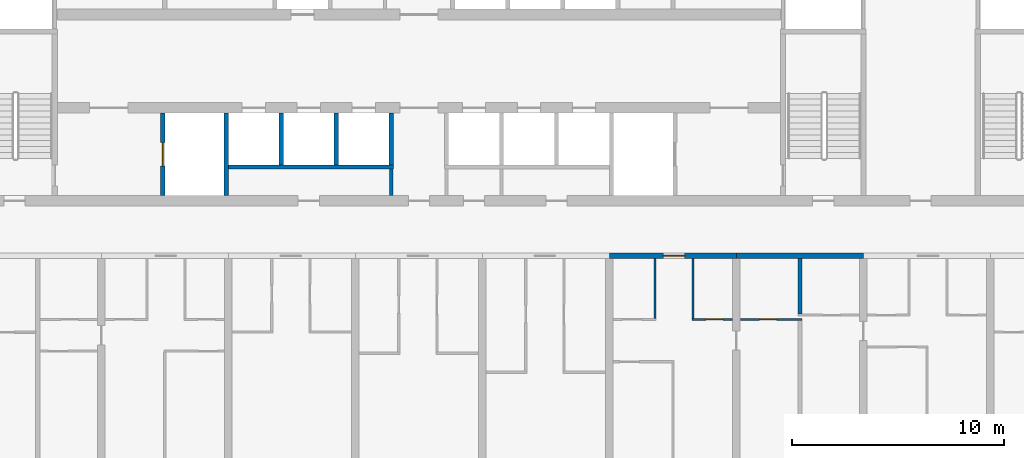
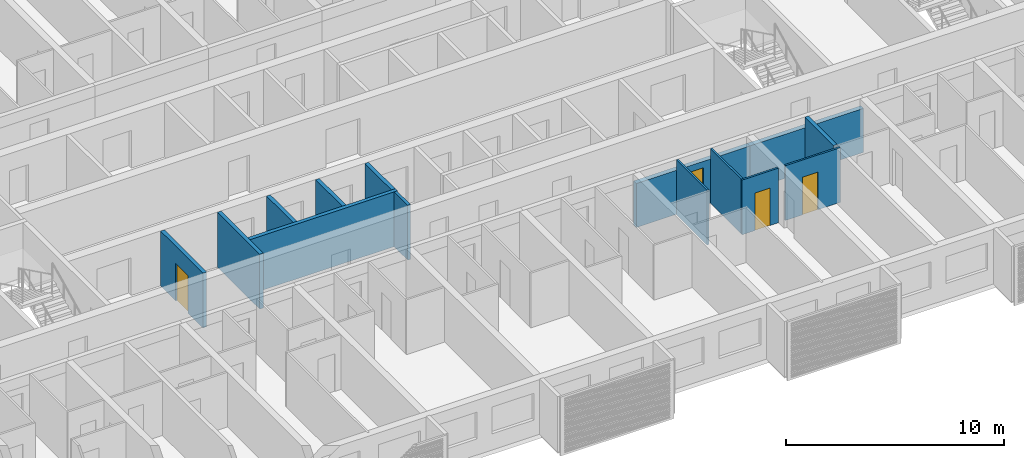
# One storey, part 6 of 31: 14 walls, 4 doors, 4 openings.
"""IFC4 building model written with IfcOpenShell, lengths in metres."""

from ifc_helpers import new_model, si_unit, direction, frame, frame_2d, origin, place, context, subcontext, project, spatial, rectangle, extrude, material, layer, layer_set, type_object, element, fill, save


model = new_model("IFC4")

# Units and contexts
model_context = context("Model", 3, precision=1e-05, world=origin(), true_north=direction((0.0, 1.0)))
body_context = subcontext(model_context, "Body", "Model", "MODEL_VIEW")
ifc_project = project(units=[si_unit("LENGTHUNIT", "METRE"), si_unit("AREAUNIT", "SQUARE_METRE"), si_unit("VOLUMEUNIT", "CUBIC_METRE"), si_unit("PLANEANGLEUNIT", "RADIAN"), si_unit("MASSUNIT", "GRAM", prefix="KILO")], contexts=[model_context])

# Site, building, storey
site_placement = place(None, origin())
site = spatial("IfcSite", under=ifc_project, at=site_placement, CompositionType="ELEMENT")
building_placement = place(site_placement, origin())
building = spatial("IfcBuilding", under=site, at=building_placement, Name="Poui Terraces", CompositionType="ELEMENT")
storey_placement = place(building_placement, frame((0.0, 0.0, 82.800048828125)))
storey = spatial("IfcBuildingStorey", under=building, at=storey_placement, Name="L22", CompositionType="ELEMENT", Elevation=82.800048828125)

# Wall
ifc_material_1 = material(Name="Fire-rated plasterboard wall")
ifc_layer_1 = layer(ifc_material_1, 0.14990234375)
ifc_layer_set_1 = layer_set([ifc_layer_1], Name="Fire-rated plasterboard wall")
wall_type_1 = type_object("IfcWallType", Name="CORRIDOR WALL 150", PredefinedType="PARTITIONING", material=ifc_layer_set_1)
wall_1_placement = place(storey_placement, frame((49.699951171875, 14.860107421875, 0.0), z_axis=(0.0, 0.0, 1.0), x_axis=(0.0, 1.0, 0.0)))
element("IfcWall", 1, at=wall_1_placement, inside=storey, type_object=wall_type_1, Name="CORRIDOR WALL 150", PredefinedType="PARTITIONING", context=body_context, shape_type="SweptSolid", body=[
    extrude(rectangle(XDim=1.239990234375, YDim=0.14990234375, at=frame_2d((0.6201171875, 0.0))), origin(), (0.0, 0.0, 1.0), 3.06005859375),
])

# Wall, opening, door
ifc_material_2 = material(Name="Concrete 65 MPa", Category="concrete")
ifc_layer_2 = layer(ifc_material_2, 0.25)
ifc_layer_set_2 = layer_set([ifc_layer_2], Name="Concrete 65 MPa")
wall_type_2 = type_object("IfcWallType", Name="CORRIDOR WALL 250 65MPa", PredefinedType="SHEAR", material=ifc_layer_set_2)
wall_2_placement = place(storey_placement, frame((60.0, 12.0, 0.0), z_axis=(0.0, 0.0, 1.0), x_axis=(1.0, 0.0, 0.0)))
wall_2 = element("IfcWall", 2, at=wall_2_placement, inside=storey, type_object=wall_type_2, Name="CORRIDOR WALL LINE B BAY 10", PredefinedType="SHEAR", context=body_context, shape_type="SweptSolid", body=[
    extrude(rectangle(XDim=6.0, YDim=0.25, at=frame_2d((3.0, 0.0))), origin(), (0.0, 0.0, 1.0), 2.4599609375),
])
opening_1_placement = place(wall_2_placement, frame((2.550048828125, 0.0, 0.0)))
opening_1 = element("IfcOpeningElement", 3, at=opening_1_placement, cuts=wall_2, Name="Opening FD30S", PredefinedType="OPENING", context=body_context, shape_type="SweptSolid", body=[
    extrude(rectangle(XDim=1.0, YDim=2.10009765625, at=frame_2d((0.5, 1.050048828125))), frame((0.0, 0.135009765625, 0.0), z_axis=(0.0, -1.0, 0.0), x_axis=(1.0, 0.0, 0.0)), (0.0, 0.0, 1.0), 0.27001953125),
])
ifc_material_3 = material(Name="Steel fire door", Category="steel")
door_type_1 = type_object("IfcDoorType", Name="FLAT ENTRANCE DOOR 1000 X 2100", OperationType="NOTDEFINED", PredefinedType="DOOR", material=ifc_material_3)
door_1_placement = place(opening_1_placement, frame((1.0, 0.0, 0.0), z_axis=(0.0, 0.0, 1.0), x_axis=(-1.0, 0.0, 0.0)))
door_1 = element("IfcDoor", 4, at=door_1_placement, inside=storey, type_object=door_type_1, Name="FLAT ENTRANCE DOOR 118", OperationType="SINGLE_SWING_LEFT", OverallHeight=2.10009765625, OverallWidth=1.0, PredefinedType="DOOR", context=body_context, shape_type="SweptSolid", body=[
    extrude(rectangle(XDim=1.0, YDim=2.10009765625, at=frame_2d((0.5, 1.050048828125))), frame((0.0, 0.02490234375, 0.0), z_axis=(0.0, -1.0, 0.0), x_axis=(1.0, 0.0, 0.0)), (0.0, 0.0, 1.0), 0.050048828125),
])
fill(opening_1, door_1)

# Wall
wall_3_placement = place(storey_placement, frame((66.0, 12.0, 0.0), z_axis=(0.0, 0.0, 1.0), x_axis=(1.0, 0.0, 0.0)))
element("IfcWall", 5, at=wall_3_placement, inside=storey, type_object=wall_type_2, Name="CORRIDOR WALL LINE B BAY 11", PredefinedType="SHEAR", context=body_context, shape_type="SweptSolid", body=[
    extrude(rectangle(XDim=6.0, YDim=0.25, at=frame_2d((3.0, 0.0))), origin(), (0.0, 0.0, 1.0), 2.4599609375),
])

# Wall, opening, door
ifc_material_4 = material(Name="Plasterboard partition")
ifc_layer_3 = layer(ifc_material_4, 0.10009765625)
ifc_layer_set_3 = layer_set([ifc_layer_3], Name="Plasterboard partition")
wall_type_3 = type_object("IfcWallType", Name="FLAT PARTITION 100", PredefinedType="PARTITIONING", material=ifc_layer_set_3)
wall_4_placement = place(storey_placement, frame((63.89990234375, 9.0, 0.0), z_axis=(0.0, 0.0, 1.0), x_axis=(1.0, 0.0, 0.0)))
wall_4 = element("IfcWall", 6, at=wall_4_placement, inside=storey, type_object=wall_type_3, Name="FLAT PARTITION 100", PredefinedType="PARTITIONING", context=body_context, shape_type="SweptSolid", body=[
    extrude(rectangle(XDim=1.9150390625, YDim=0.10009765625, at=frame_2d((0.95751953125, 0.0))), origin(), (0.0, 0.0, 1.0), 3.06005859375),
])
opening_2_placement = place(wall_4_placement, frame((0.675048828125, 0.0, 0.0)))
opening_2 = element("IfcOpeningElement", 7, at=opening_2_placement, cuts=wall_4, Name="Opening D80", PredefinedType="OPENING", context=body_context, shape_type="SweptSolid", body=[
    extrude(rectangle(XDim=0.800048828125, YDim=2.10009765625, at=frame_2d((0.39990234375, 1.050048828125))), frame((0.0, 0.06005859375, 0.0), z_axis=(0.0, -1.0, 0.0), x_axis=(1.0, 0.0, 0.0)), (0.0, 0.0, 1.0), 0.1201171875),
])
ifc_material_5 = material(Name="Solid core timber door", Category="wood")
door_type_2 = type_object("IfcDoorType", Name="BATHROOM, LAUNDRY AND STORE DOOR 800 X 2100", OperationType="NOTDEFINED", PredefinedType="DOOR", material=ifc_material_5)
door_2_placement = place(opening_2_placement, origin())
door_2 = element("IfcDoor", 8, at=door_2_placement, inside=storey, type_object=door_type_2, Name="BATHROOM, LAUNDRY AND STORE DOOR 119", OperationType="SINGLE_SWING_RIGHT", OverallHeight=2.10009765625, OverallWidth=0.800048828125, PredefinedType="DOOR", context=body_context, shape_type="SweptSolid", body=[
    extrude(rectangle(XDim=0.800048828125, YDim=2.10009765625, at=frame_2d((0.39990234375, 1.050048828125))), frame((0.0, 0.02490234375, 0.0), z_axis=(0.0, -1.0, 0.0), x_axis=(1.0, 0.0, 0.0)), (0.0, 0.0, 1.0), 0.050048828125),
])
fill(opening_2, door_2)

wall_5_placement = place(storey_placement, frame((66.18505859375, 9.0, 0.0), z_axis=(0.0, 0.0, 1.0), x_axis=(1.0, 0.0, 0.0)))
wall_5 = element("IfcWall", 9, at=wall_5_placement, inside=storey, type_object=wall_type_3, Name="FLAT PARTITION 100", PredefinedType="PARTITIONING", context=body_context, shape_type="SweptSolid", body=[
    extrude(rectangle(XDim=2.9150390625, YDim=0.10009765625, at=frame_2d((1.45751953125, 0.0))), origin(), (0.0, 0.0, 1.0), 3.06005859375),
])
opening_3_placement = place(wall_5_placement, frame((0.9150390625, 0.0, 0.0)))
opening_3 = element("IfcOpeningElement", 10, at=opening_3_placement, cuts=wall_5, Name="Opening D80", PredefinedType="OPENING", context=body_context, shape_type="SweptSolid", body=[
    extrude(rectangle(XDim=0.800048828125, YDim=2.10009765625, at=frame_2d((0.39990234375, 1.050048828125))), frame((0.0, 0.06005859375, 0.0), z_axis=(0.0, -1.0, 0.0), x_axis=(1.0, 0.0, 0.0)), (0.0, 0.0, 1.0), 0.1201171875),
])
door_3_placement = place(opening_3_placement, origin())
door_3 = element("IfcDoor", 11, at=door_3_placement, inside=storey, type_object=door_type_2, Name="BATHROOM, LAUNDRY AND STORE DOOR 115", OperationType="SINGLE_SWING_LEFT", OverallHeight=2.10009765625, OverallWidth=0.800048828125, PredefinedType="DOOR", context=body_context, shape_type="SweptSolid", body=[
    extrude(rectangle(XDim=0.800048828125, YDim=2.10009765625, at=frame_2d((0.39990234375, 1.050048828125))), frame((0.0, 0.02490234375, 0.0), z_axis=(0.0, -1.0, 0.0), x_axis=(1.0, 0.0, 0.0)), (0.0, 0.0, 1.0), 0.050048828125),
])
fill(opening_3, door_3)

# Walls
for number, where, z_axis, x_axis, name in (
    (12, (62.14990234375, 9.050048828125, 0.0), (0.0, 0.0, 1.0), (0.0, 1.0, 0.0), "FLAT PARTITION 100"),
    (13, (63.949951171875, 9.050048828125, 0.0), (0.0, 0.0, 1.0), (0.0, 1.0, 0.0), "FLAT PARTITION 100"),
):
    element("IfcWall", number, at=place(storey_placement, frame(where, z_axis=z_axis, x_axis=x_axis)), inside=storey, type_object=wall_type_3, Name=name, PredefinedType="PARTITIONING", context=body_context, shape_type="SweptSolid", body=[
        extrude(rectangle(XDim=2.81494140625, YDim=0.10009765625, at=frame_2d((1.407470703125, 0.0))), origin(), (0.0, 0.0, 1.0), 3.06005859375),
    ])
ifc_material_6 = material(Name="Fire-rated masonry wall", Category="masonry")
ifc_layer_4 = layer(ifc_material_6, 0.199951171875)
ifc_layer_set_4 = layer_set([ifc_layer_4], Name="Fire-rated masonry wall")
wall_type_4 = type_object("IfcWallType", Name="FLAT PARTY WALL 200", PredefinedType="PARTITIONING", material=ifc_layer_set_4)
wall_6_placement = place(storey_placement, frame((69.0, 9.25, 0.0), z_axis=(0.0, 0.0, 1.0), x_axis=(0.0, 1.0, 0.0)))
element("IfcWall", 14, at=wall_6_placement, inside=storey, type_object=wall_type_4, Name="FLAT PARTY WALL 200", PredefinedType="PARTITIONING", context=body_context, shape_type="SweptSolid", body=[
    extrude(rectangle(XDim=2.614990234375, YDim=0.199951171875, at=frame_2d((1.3076171875, 0.0))), origin(), (0.0, 0.0, 1.0), 3.06005859375),
])
ifc_material_7 = material(Name="Fire-rated masonry shaft wall", Category="masonry")
ifc_layer_5 = layer(ifc_material_7, 0.199951171875)
ifc_layer_set_5 = layer_set([ifc_layer_5], Name="Fire-rated masonry shaft wall")
wall_type_5 = type_object("IfcWallType", Name="SHAFT WALL 200", PredefinedType="PARTITIONING", material=ifc_layer_set_5)
wall_7_placement = place(storey_placement, frame((42.0, 16.199951171875, 0.0), z_axis=(0.0, 0.0, 1.0), x_axis=(1.0, 0.0, 0.0)))
element("IfcWall", 15, at=wall_7_placement, inside=storey, type_object=wall_type_5, Name="SHAFT WALL 200", PredefinedType="PARTITIONING", context=body_context, shape_type="SweptSolid", body=[
    extrude(rectangle(XDim=7.800048828125, YDim=0.199951171875, at=frame_2d((3.89990234375, 0.0))), origin(), (0.0, 0.0, 1.0), 3.06005859375),
])

# Wall, opening, door
wall_8_placement = place(storey_placement, frame((38.89990234375, 14.860107421875, 0.0), z_axis=(0.0, 0.0, 1.0), x_axis=(0.0, 1.0, 0.0)))
wall_8 = element("IfcWall", 16, at=wall_8_placement, inside=storey, type_object=wall_type_5, Name="SHAFT WALL 200", PredefinedType="PARTITIONING", context=body_context, shape_type="SweptSolid", body=[
    extrude(rectangle(XDim=3.8798828125, YDim=0.199951171875, at=frame_2d((1.93994140625, 0.0))), origin(), (0.0, 0.0, 1.0), 3.06005859375),
])
opening_4_placement = place(wall_8_placement, frame((1.389892578125, 0.0, 0.0)))
opening_4 = element("IfcOpeningElement", 17, at=opening_4_placement, cuts=wall_8, Name="Opening LD", PredefinedType="OPENING", context=body_context, shape_type="SweptSolid", body=[
    extrude(rectangle(XDim=1.10009765625, YDim=2.10009765625, at=frame_2d((0.550048828125, 1.050048828125))), frame((0.0, 0.10986328125, 0.0), z_axis=(0.0, -1.0, 0.0), x_axis=(1.0, 0.0, 0.0)), (0.0, 0.0, 1.0), 0.219970703125),
])
ifc_material_8 = material(Name="Stainless steel sliding door", Category="steel")
door_type_3 = type_object("IfcDoorType", Name="LIFT LANDING DOOR 1100 X 2100", OperationType="DOUBLE_DOOR_SLIDING", PredefinedType="DOOR", material=ifc_material_8)
door_4_placement = place(opening_4_placement, origin())
door_4 = element("IfcDoor", 18, at=door_4_placement, inside=storey, type_object=door_type_3, Name="LANDING DOOR", OperationType="DOUBLE_DOOR_SLIDING", OverallHeight=2.10009765625, OverallWidth=1.10009765625, PredefinedType="DOOR", context=body_context, shape_type="SweptSolid", body=[
    extrude(rectangle(XDim=1.10009765625, YDim=2.10009765625, at=frame_2d((0.550048828125, 1.050048828125))), frame((0.0, 0.02490234375, 0.0), z_axis=(0.0, -1.0, 0.0), x_axis=(1.0, 0.0, 0.0)), (0.0, 0.0, 1.0), 0.050048828125),
])
fill(opening_4, door_4)

# Walls
wall_9_placement = place(storey_placement, frame((41.89990234375, 14.860107421875, 0.0), z_axis=(0.0, 0.0, 1.0), x_axis=(0.0, 1.0, 0.0)))
element("IfcWall", 19, at=wall_9_placement, inside=storey, type_object=wall_type_5, Name="SHAFT WALL 200", PredefinedType="PARTITIONING", context=body_context, shape_type="SweptSolid", body=[
    extrude(rectangle(XDim=3.8798828125, YDim=0.199951171875, at=frame_2d((1.93994140625, 0.0))), origin(), (0.0, 0.0, 1.0), 3.06005859375),
])
for number, where, z_axis, x_axis, name in (
    (20, (44.5, 16.300048828125, 0.0), (0.0, 0.0, 1.0), (0.0, 1.0, 0.0), "SHAFT WALL 200"),
    (21, (47.10009765625, 16.300048828125, 0.0), (0.0, 0.0, 1.0), (0.0, 1.0, 0.0), "SHAFT WALL 200"),
    (22, (49.699951171875, 16.300048828125, 0.0), (0.0, 0.0, 1.0), (0.0, 1.0, 0.0), "SHAFT WALL 200"),
):
    element("IfcWall", number, at=place(storey_placement, frame(where, z_axis=z_axis, x_axis=x_axis)), inside=storey, type_object=wall_type_5, Name=name, PredefinedType="PARTITIONING", context=body_context, shape_type="SweptSolid", body=[
        extrude(rectangle(XDim=2.43994140625, YDim=0.199951171875, at=frame_2d((1.219970703125, 0.0))), origin(), (0.0, 0.0, 1.0), 3.06005859375),
    ])

save(model, "model.ifc")
